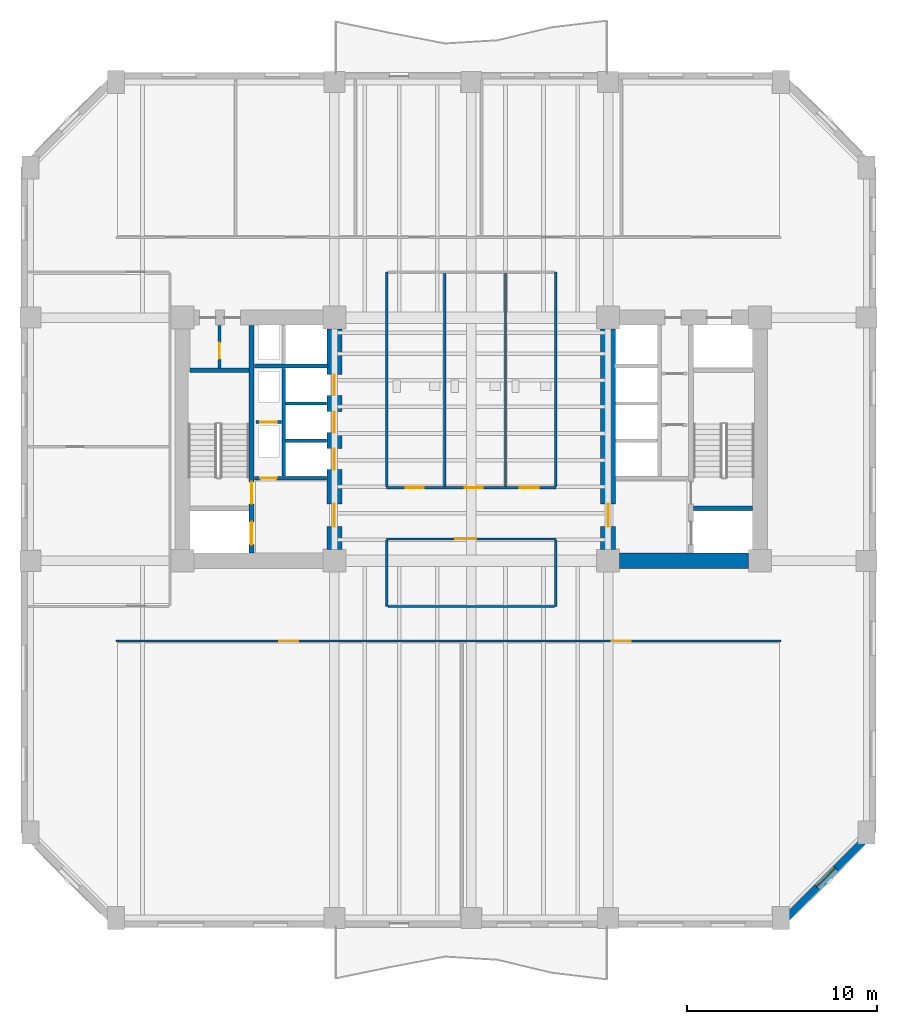
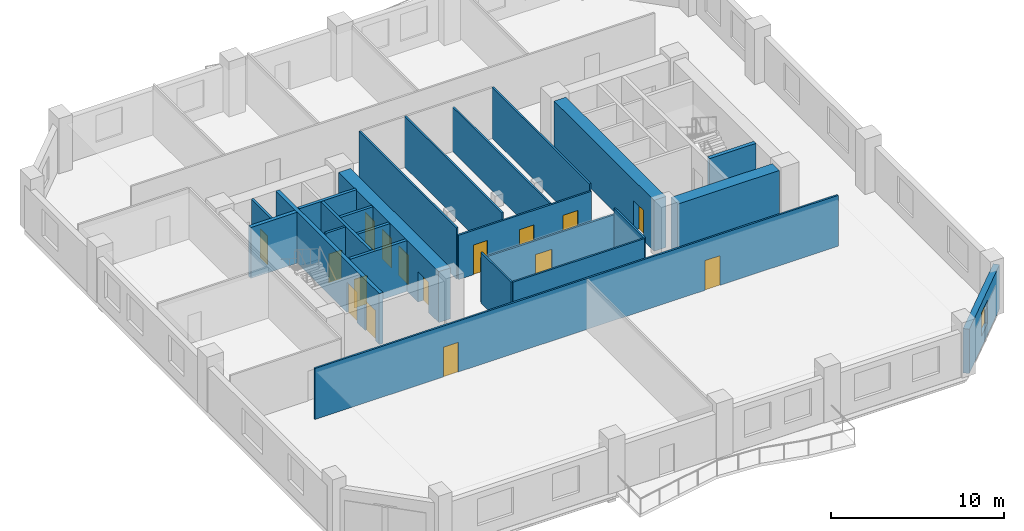
# One storey, part 3 of 10: 24 walls, 16 doors, 1 window, 17 openings.
"""IFC4 building model written with IfcOpenShell, lengths in metres."""

from ifc_helpers import new_model, si_unit, direction, frame, frame_2d, origin, place, context, subcontext, project, spatial, rectangle, extrude, material, layer, layer_set, type_object, element, fill, save


model = new_model("IFC4")

# Units and contexts
model_context = context("Model", 3, precision=1e-05, world=origin(), true_north=direction((0.0, 1.0)))
body_context = subcontext(model_context, "Body", "Model", "MODEL_VIEW")
ifc_project = project(units=[si_unit("LENGTHUNIT", "METRE"), si_unit("AREAUNIT", "SQUARE_METRE"), si_unit("VOLUMEUNIT", "CUBIC_METRE"), si_unit("PLANEANGLEUNIT", "RADIAN"), si_unit("MASSUNIT", "GRAM", prefix="KILO")], contexts=[model_context])

# Site, building, storey
site_placement = place(None, origin())
site = spatial("IfcSite", under=ifc_project, at=site_placement, CompositionType="ELEMENT")
building_placement = place(site_placement, origin())
building = spatial("IfcBuilding", under=site, at=building_placement, Name="Kranthara Brick Stack", CompositionType="ELEMENT")
storey_placement = place(building_placement, frame((0.0, 0.0, 32.10009765625)))
storey = spatial("IfcBuildingStorey", under=building, at=storey_placement, Name="L07", CompositionType="ELEMENT", Elevation=32.10009765625)

# Wall, opening, window
ifc_material_1 = material(Name="Kiln-fired clay brick masonry M15", Category="masonry")
ifc_layer_1 = layer(ifc_material_1, 0.3798828125)
ifc_layer_set_1 = layer_set([ifc_layer_1], Name="Kiln-fired clay brick masonry M15")
wall_type_1 = type_object("IfcWallType", Name="WL-BRK-PIER-380", PredefinedType="STANDARD", material=ifc_layer_set_1)
wall_1_placement = place(storey_placement, frame((49.090087890625, 6.5, 0.0), z_axis=(0.0, 0.0, 1.0), x_axis=(-0.707106781187, -0.707106781187, 0.0)))
wall_1 = element("IfcWall", 1, at=wall_1_placement, inside=storey, type_object=wall_type_1, Name="L07 Exterior Brick Facade Wall SE 1", PredefinedType="STANDARD", context=body_context, shape_type="SweptSolid", body=[
    extrude(rectangle(XDim=6.774169921875, YDim=0.3798828125, at=frame_2d((3.38720703125, 0.0))), origin(), (0.0, 0.0, 1.0), 3.135009765625),
])
opening_1_placement = place(wall_1_placement, frame((2.68701171875, 0.0, 0.800048828125)))
opening_1 = element("IfcOpeningElement", 2, at=opening_1_placement, cuts=wall_1, Name="Opening WN10", PredefinedType="OPENING", context=body_context, shape_type="SweptSolid", body=[
    extrude(rectangle(XDim=1.39990234375, YDim=1.64990234375, at=frame_2d((0.699951171875, 0.824951171875))), frame((0.0, 0.199951171875, 0.0), z_axis=(0.0, -1.0, 0.0), x_axis=(1.0, 0.0, 0.0)), (0.0, 0.0, 1.0), 0.39990234375),
])
ifc_material_2 = material(Name="Double-glazed low-E solar control glass", Category="glass")
window_type = type_object("IfcWindowType", Name="WN-CHM-1400x1750", PartitioningType="SINGLE_PANEL", PredefinedType="WINDOW", material=ifc_material_2)
window_placement = place(opening_1_placement, origin())
window = element("IfcWindow", 3, at=window_placement, inside=storey, type_object=window_type, Name="L07 SE Chamfer Corner Window", OverallHeight=1.64990234375, OverallWidth=1.39990234375, PartitioningType="SINGLE_PANEL", PredefinedType="WINDOW", context=body_context, shape_type="SweptSolid", body=[
    extrude(rectangle(XDim=1.39990234375, YDim=1.64990234375, at=frame_2d((0.699951171875, 0.824951171875))), frame((0.0, -0.010009765625, 0.0), z_axis=(0.0, -1.0, 0.0), x_axis=(1.0, 0.0, 0.0)), (0.0, 0.0, 1.0), 0.06005859375),
])
fill(opening_1, window)

# Wall, openings, doors
ifc_material_3 = material(Name="Concrete C50/60", Category="concrete")
ifc_layer_2 = layer(ifc_material_3, 0.25)
ifc_layer_set_2 = layer_set([ifc_layer_2], Name="Concrete C50/60")
wall_type_2 = type_object("IfcWallType", Name="WL-CORE-250", PredefinedType="SHEAR", material=ifc_layer_set_2)
wall_2_placement = place(storey_placement, frame((16.43505859375, 21.2099609375, 0.0), z_axis=(0.0, 0.0, 1.0), x_axis=(0.0, 1.0, 0.0)))
wall_2 = element("IfcWall", 4, at=wall_2_placement, inside=storey, type_object=wall_type_2, Name="L07 West Core Stair Bearing Spine Wall", PredefinedType="SHEAR", context=body_context, shape_type="SweptSolid", body=[
    extrude(rectangle(XDim=11.97998046875, YDim=0.25, at=frame_2d((5.989990234375, 0.0))), origin(), (0.0, 0.0, 1.0), 3.599853515625),
])
opening_2_placement = place(wall_2_placement, frame((0.43994140625, 0.0, 0.0)))
opening_2 = element("IfcOpeningElement", 5, at=opening_2_placement, cuts=wall_2, Name="Opening LD01", PredefinedType="OPENING", context=body_context, shape_type="SweptSolid", body=[
    extrude(rectangle(XDim=1.199951171875, YDim=2.14990234375, at=frame_2d((0.60009765625, 1.074951171875))), frame((0.0, 0.135009765625, 0.0), z_axis=(0.0, -1.0, 0.0), x_axis=(1.0, 0.0, 0.0)), (0.0, 0.0, 1.0), 0.27001953125),
])
opening_3_placement = place(wall_2_placement, frame((2.590087890625, 0.0, 0.0)))
opening_3 = element("IfcOpeningElement", 6, at=opening_3_placement, cuts=wall_2, Name="Opening D05", PredefinedType="OPENING", context=body_context, shape_type="SweptSolid", body=[
    extrude(rectangle(XDim=1.14990234375, YDim=2.14990234375, at=frame_2d((0.574951171875, 1.074951171875))), frame((0.0, 0.135009765625, 0.0), z_axis=(0.0, -1.0, 0.0), x_axis=(1.0, 0.0, 0.0)), (0.0, 0.0, 1.0), 0.27001953125),
])
ifc_material_4 = material(Name="Stainless steel sliding landing door", Category="steel")
door_type_1 = type_object("IfcDoorType", Name="DR-LD-FF1200", OperationType="DOUBLE_DOOR_SLIDING", PredefinedType="DOOR", material=ifc_material_4)
door_1_placement = place(opening_2_placement, origin())
door_1 = element("IfcDoor", 7, at=door_1_placement, inside=storey, type_object=door_type_1, Name="L07 Firefighting Lift FF-01 Landing Door", OperationType="DOUBLE_DOOR_SLIDING", OverallHeight=2.14990234375, OverallWidth=1.199951171875, PredefinedType="DOOR", context=body_context, shape_type="SweptSolid", body=[
    extrude(rectangle(XDim=1.199951171875, YDim=2.14990234375, at=frame_2d((0.60009765625, 1.074951171875))), frame((0.0, 0.02490234375, 0.0), z_axis=(0.0, -1.0, 0.0), x_axis=(1.0, 0.0, 0.0)), (0.0, 0.0, 1.0), 0.050048828125),
])
fill(opening_2, door_1)
ifc_material_5 = material(Name="Solid-core hardwood timber leaf in steel frame", Category="steel")
door_type_2 = type_object("IfcDoorType", Name="DR-ST-1150", OperationType="NOTDEFINED", PredefinedType="DOOR", material=ifc_material_5)
door_2_placement = place(opening_3_placement, origin())
door_2 = element("IfcDoor", 8, at=door_2_placement, inside=storey, type_object=door_type_2, Name="L07 Exit Stair ST01 Door", OperationType="SINGLE_SWING_RIGHT", OverallHeight=2.14990234375, OverallWidth=1.14990234375, PredefinedType="DOOR", context=body_context, shape_type="SweptSolid", body=[
    extrude(rectangle(XDim=1.14990234375, YDim=2.14990234375, at=frame_2d((0.574951171875, 1.074951171875))), frame((0.0, 0.02490234375, 0.0), z_axis=(0.0, -1.0, 0.0), x_axis=(1.0, 0.0, 0.0)), (0.0, 0.0, 1.0), 0.050048828125),
])
fill(opening_3, door_2)

# Walls
for number, where, z_axis, x_axis, name in (
    (9, (13.2099609375, 30.830078125, 0.0), (0.0, 0.0, 1.0), (1.0, 0.0, 0.0), "L07 West Stairwell Bearing Wall WST"),
    (10, (39.68994140625, 23.570068359375, 0.0), (0.0, 0.0, 1.0), (1.0, 0.0, 0.0), "L07 East Stairwell Bearing Wall EFF"),
):
    element("IfcWall", number, at=place(storey_placement, frame(where, z_axis=z_axis, x_axis=x_axis)), inside=storey, type_object=wall_type_2, Name=name, PredefinedType="SHEAR", context=body_context, shape_type="SweptSolid", body=[
        extrude(rectangle(XDim=3.10009765625, YDim=0.25, at=frame_2d((1.550048828125, 0.0))), origin(), (0.0, 0.0, 1.0), 3.599853515625),
    ])

# Wall, openings, doors
ifc_material_6 = material(Name="Concrete C70/85", Category="concrete")
ifc_layer_3 = layer(ifc_material_6, 0.800048828125)
ifc_layer_set_3 = layer_set([ifc_layer_3], Name="Concrete C70/85")
wall_type_3 = type_object("IfcWallType", Name="WL-CORE-800", PredefinedType="SHEAR", material=ifc_layer_set_3)
wall_3_placement = place(storey_placement, frame((20.800048828125, 21.405029296875, 0.0), z_axis=(0.0, 0.0, 1.0), x_axis=(0.0, 1.0, 0.0)))
wall_3 = element("IfcWall", 11, at=wall_3_placement, inside=storey, type_object=wall_type_3, Name="L07 West Core Shear Wall East", PredefinedType="SHEAR", context=body_context, shape_type="SweptSolid", body=[
    extrude(rectangle(XDim=11.590087890625, YDim=0.800048828125, at=frame_2d((5.794921875, 0.0))), origin(), (0.0, 0.0, 1.0), 3.599853515625),
])
opening_4_placement = place(wall_3_placement, frame((1.195068359375, 0.0, 0.0)))
opening_4 = element("IfcOpeningElement", 12, at=opening_4_placement, cuts=wall_3, Name="Opening D06", PredefinedType="OPENING", context=body_context, shape_type="SweptSolid", body=[
    extrude(rectangle(XDim=1.199951171875, YDim=2.14990234375, at=frame_2d((0.60009765625, 1.074951171875))), frame((0.0, 0.409912109375, 0.0), z_axis=(0.0, -1.0, 0.0), x_axis=(1.0, 0.0, 0.0)), (0.0, 0.0, 1.0), 0.820068359375),
])
opening_5_placement = place(wall_3_placement, frame((4.195068359375, 0.0, 0.0)))
opening_5 = element("IfcOpeningElement", 13, at=opening_5_placement, cuts=wall_3, Name="Opening LD02", PredefinedType="OPENING", context=body_context, shape_type="SweptSolid", body=[
    extrude(rectangle(XDim=1.10009765625, YDim=2.10009765625, at=frame_2d((0.550048828125, 1.050048828125))), frame((0.0, 0.409912109375, 0.0), z_axis=(0.0, -1.0, 0.0), x_axis=(1.0, 0.0, 0.0)), (0.0, 0.0, 1.0), 0.820068359375),
])
opening_6_placement = place(wall_3_placement, frame((6.14501953125, 0.0, 0.0)))
opening_6 = element("IfcOpeningElement", 14, at=opening_6_placement, cuts=wall_3, Name="Opening LD02", PredefinedType="OPENING", context=body_context, shape_type="SweptSolid", body=[
    extrude(rectangle(XDim=1.10009765625, YDim=2.10009765625, at=frame_2d((0.550048828125, 1.050048828125))), frame((0.0, 0.409912109375, 0.0), z_axis=(0.0, -1.0, 0.0), x_axis=(1.0, 0.0, 0.0)), (0.0, 0.0, 1.0), 0.820068359375),
])
opening_7_placement = place(wall_3_placement, frame((8.094970703125, 0.0, 0.0)))
opening_7 = element("IfcOpeningElement", 15, at=opening_7_placement, cuts=wall_3, Name="Opening LD02", PredefinedType="OPENING", context=body_context, shape_type="SweptSolid", body=[
    extrude(rectangle(XDim=1.10009765625, YDim=2.10009765625, at=frame_2d((0.550048828125, 1.050048828125))), frame((0.0, 0.409912109375, 0.0), z_axis=(0.0, -1.0, 0.0), x_axis=(1.0, 0.0, 0.0)), (0.0, 0.0, 1.0), 0.820068359375),
])
ifc_material_7 = material(Name="Solid-core hardwood timber leaf in steel frame", Category="steel")
door_type_3 = type_object("IfcDoorType", Name="DR-FFL-1200", OperationType="NOTDEFINED", PredefinedType="DOOR", material=ifc_material_7)
door_3_placement = place(opening_4_placement, origin())
door_3 = element("IfcDoor", 16, at=door_3_placement, inside=storey, type_object=door_type_3, Name="L07 West Firefighting Lobby Door", OperationType="SINGLE_SWING_LEFT", OverallHeight=2.14990234375, OverallWidth=1.199951171875, PredefinedType="DOOR", context=body_context, shape_type="SweptSolid", body=[
    extrude(rectangle(XDim=1.199951171875, YDim=2.14990234375, at=frame_2d((0.60009765625, 1.074951171875))), frame((0.0, 0.02490234375, 0.0), z_axis=(0.0, -1.0, 0.0), x_axis=(1.0, 0.0, 0.0)), (0.0, 0.0, 1.0), 0.050048828125),
])
fill(opening_4, door_3)
ifc_material_8 = material(Name="Stainless steel sliding landing door", Category="steel")
door_type_4 = type_object("IfcDoorType", Name="DR-LD-PL1100", OperationType="DOUBLE_DOOR_SLIDING", PredefinedType="DOOR", material=ifc_material_8)
door_4_placement = place(opening_5_placement, origin())
door_4 = element("IfcDoor", 17, at=door_4_placement, inside=storey, type_object=door_type_4, Name="L07 PL-01 Lift Landing Door", OperationType="DOUBLE_DOOR_SLIDING", OverallHeight=2.10009765625, OverallWidth=1.10009765625, PredefinedType="DOOR", context=body_context, shape_type="SweptSolid", body=[
    extrude(rectangle(XDim=1.10009765625, YDim=2.10009765625, at=frame_2d((0.550048828125, 1.050048828125))), frame((0.0, 0.02490234375, 0.0), z_axis=(0.0, -1.0, 0.0), x_axis=(1.0, 0.0, 0.0)), (0.0, 0.0, 1.0), 0.050048828125),
])
fill(opening_5, door_4)
door_5_placement = place(opening_6_placement, origin())
door_5 = element("IfcDoor", 18, at=door_5_placement, inside=storey, type_object=door_type_4, Name="L07 PL-02 Lift Landing Door", OperationType="DOUBLE_DOOR_SLIDING", OverallHeight=2.10009765625, OverallWidth=1.10009765625, PredefinedType="DOOR", context=body_context, shape_type="SweptSolid", body=[
    extrude(rectangle(XDim=1.10009765625, YDim=2.10009765625, at=frame_2d((0.550048828125, 1.050048828125))), frame((0.0, 0.02490234375, 0.0), z_axis=(0.0, -1.0, 0.0), x_axis=(1.0, 0.0, 0.0)), (0.0, 0.0, 1.0), 0.050048828125),
])
fill(opening_6, door_5)
door_6_placement = place(opening_7_placement, origin())
door_6 = element("IfcDoor", 19, at=door_6_placement, inside=storey, type_object=door_type_4, Name="L07 PL-03 Lift Landing Door", OperationType="DOUBLE_DOOR_SLIDING", OverallHeight=2.10009765625, OverallWidth=1.10009765625, PredefinedType="DOOR", context=body_context, shape_type="SweptSolid", body=[
    extrude(rectangle(XDim=1.10009765625, YDim=2.10009765625, at=frame_2d((0.550048828125, 1.050048828125))), frame((0.0, 0.02490234375, 0.0), z_axis=(0.0, -1.0, 0.0), x_axis=(1.0, 0.0, 0.0)), (0.0, 0.0, 1.0), 0.050048828125),
])
fill(opening_7, door_6)

# Wall
wall_4_placement = place(storey_placement, frame((35.804931640625, 20.800048828125, 0.0), z_axis=(0.0, 0.0, 1.0), x_axis=(1.0, 0.0, 0.0)))
element("IfcWall", 20, at=wall_4_placement, inside=storey, type_object=wall_type_3, Name="L07 East Core Shear Wall South", PredefinedType="SHEAR", context=body_context, shape_type="SweptSolid", body=[
    extrude(rectangle(XDim=6.7900390625, YDim=0.800048828125, at=frame_2d((3.39501953125, 0.0))), origin(), (0.0, 0.0, 1.0), 3.599853515625),
])

# Wall, opening, door
wall_5_placement = place(storey_placement, frame((35.199951171875, 21.405029296875, 0.0), z_axis=(0.0, 0.0, 1.0), x_axis=(0.0, 1.0, 0.0)))
wall_5 = element("IfcWall", 21, at=wall_5_placement, inside=storey, type_object=wall_type_3, Name="L07 East Core Shear Wall West", PredefinedType="SHEAR", context=body_context, shape_type="SweptSolid", body=[
    extrude(rectangle(XDim=11.590087890625, YDim=0.800048828125, at=frame_2d((5.794921875, 0.0))), origin(), (0.0, 0.0, 1.0), 3.599853515625),
])
opening_8_placement = place(wall_5_placement, frame((1.195068359375, 0.0, 0.0)))
opening_8 = element("IfcOpeningElement", 22, at=opening_8_placement, cuts=wall_5, Name="Opening D06", PredefinedType="OPENING", context=body_context, shape_type="SweptSolid", body=[
    extrude(rectangle(XDim=1.199951171875, YDim=2.14990234375, at=frame_2d((0.60009765625, 1.074951171875))), frame((0.0, 0.409912109375, 0.0), z_axis=(0.0, -1.0, 0.0), x_axis=(1.0, 0.0, 0.0)), (0.0, 0.0, 1.0), 0.820068359375),
])
door_7_placement = place(opening_8_placement, origin())
door_7 = element("IfcDoor", 23, at=door_7_placement, inside=storey, type_object=door_type_3, Name="L07 East Firefighting Lobby Door", OperationType="SINGLE_SWING_RIGHT", OverallHeight=2.14990234375, OverallWidth=1.199951171875, PredefinedType="DOOR", context=body_context, shape_type="SweptSolid", body=[
    extrude(rectangle(XDim=1.199951171875, YDim=2.14990234375, at=frame_2d((0.60009765625, 1.074951171875))), frame((0.0, 0.02490234375, 0.0), z_axis=(0.0, -1.0, 0.0), x_axis=(1.0, 0.0, 0.0)), (0.0, 0.0, 1.0), 0.050048828125),
])
fill(opening_8, door_7)

# Wall, openings, doors
ifc_material_9 = material(Name="Acoustic gypsum plasterboard partition", Category="other")
ifc_layer_4 = layer(ifc_material_9, 0.1201171875)
ifc_layer_set_4 = layer_set([ifc_layer_4], Name="Acoustic gypsum plasterboard partition")
wall_type_4 = type_object("IfcWallType", Name="WL-PART-120", PredefinedType="PARTITIONING", material=ifc_layer_set_4)
wall_6_placement = place(storey_placement, frame((23.550048828125, 24.64990234375, 0.0), z_axis=(0.0, 0.0, 1.0), x_axis=(1.0, 0.0, 0.0)))
wall_6 = element("IfcWall", 24, at=wall_6_placement, inside=storey, type_object=wall_type_4, Name="L07 Interior Partition 005", PredefinedType="PARTITIONING", context=body_context, shape_type="SweptSolid", body=[
    extrude(rectangle(XDim=8.89990234375, YDim=0.1201171875, at=frame_2d((4.449951171875, 0.0))), origin(), (0.0, 0.0, 1.0), 3.135009765625),
])
opening_9_placement = place(wall_6_placement, frame((1.0, 0.0, 0.0)))
opening_9 = element("IfcOpeningElement", 25, at=opening_9_placement, cuts=wall_6, Name="Opening D14", PredefinedType="OPENING", context=body_context, shape_type="SweptSolid", body=[
    extrude(rectangle(XDim=0.949951171875, YDim=2.10009765625, at=frame_2d((0.47509765625, 1.050048828125))), frame((0.0, 0.070068359375, 0.0), z_axis=(0.0, -1.0, 0.0), x_axis=(1.0, 0.0, 0.0)), (0.0, 0.0, 1.0), 0.14013671875),
])
opening_10_placement = place(wall_6_placement, frame((4.10009765625, 0.0, 0.0)))
opening_10 = element("IfcOpeningElement", 26, at=opening_10_placement, cuts=wall_6, Name="Opening D14", PredefinedType="OPENING", context=body_context, shape_type="SweptSolid", body=[
    extrude(rectangle(XDim=0.949951171875, YDim=2.10009765625, at=frame_2d((0.47509765625, 1.050048828125))), frame((0.0, 0.070068359375, 0.0), z_axis=(0.0, -1.0, 0.0), x_axis=(1.0, 0.0, 0.0)), (0.0, 0.0, 1.0), 0.14013671875),
])
opening_11_placement = place(wall_6_placement, frame((7.0, 0.0, 0.0)))
opening_11 = element("IfcOpeningElement", 27, at=opening_11_placement, cuts=wall_6, Name="Opening D18", PredefinedType="OPENING", context=body_context, shape_type="SweptSolid", body=[
    extrude(rectangle(XDim=1.0, YDim=2.10009765625, at=frame_2d((0.5, 1.050048828125))), frame((0.0, 0.070068359375, 0.0), z_axis=(0.0, -1.0, 0.0), x_axis=(1.0, 0.0, 0.0)), (0.0, 0.0, 1.0), 0.14013671875),
])
ifc_material_10 = material(Name="Solid-core hardwood timber leaf in steel frame", Category="steel")
door_type_5 = type_object("IfcDoorType", Name="DR-ACC-1000", OperationType="NOTDEFINED", PredefinedType="DOOR", material=ifc_material_10)
door_8_placement = place(opening_11_placement, origin())
door_8 = element("IfcDoor", 28, at=door_8_placement, inside=storey, type_object=door_type_5, Name="L07 Accessible WC Door 07", OperationType="SINGLE_SWING_LEFT", OverallHeight=2.10009765625, OverallWidth=1.0, PredefinedType="DOOR", context=body_context, shape_type="SweptSolid", body=[
    extrude(rectangle(XDim=1.0, YDim=2.10009765625, at=frame_2d((0.5, 1.050048828125))), frame((0.0, 0.02490234375, 0.0), z_axis=(0.0, -1.0, 0.0), x_axis=(1.0, 0.0, 0.0)), (0.0, 0.0, 1.0), 0.050048828125),
])
fill(opening_11, door_8)
ifc_material_11 = material(Name="Solid-core hardwood timber leaf in steel frame", Category="steel")
door_type_6 = type_object("IfcDoorType", Name="DR-INT-950", OperationType="NOTDEFINED", PredefinedType="DOOR", material=ifc_material_11)
door_9_placement = place(opening_9_placement, origin())
door_9 = element("IfcDoor", 29, at=door_9_placement, inside=storey, type_object=door_type_6, Name="L07 Male WC Door 05", OperationType="SINGLE_SWING_LEFT", OverallHeight=2.10009765625, OverallWidth=0.949951171875, PredefinedType="DOOR", context=body_context, shape_type="SweptSolid", body=[
    extrude(rectangle(XDim=0.949951171875, YDim=2.10009765625, at=frame_2d((0.47509765625, 1.050048828125))), frame((0.0, 0.02490234375, 0.0), z_axis=(0.0, -1.0, 0.0), x_axis=(1.0, 0.0, 0.0)), (0.0, 0.0, 1.0), 0.050048828125),
])
fill(opening_9, door_9)
door_10_placement = place(opening_10_placement, origin())
door_10 = element("IfcDoor", 30, at=door_10_placement, inside=storey, type_object=door_type_6, Name="L07 Female WC Door 06", OperationType="SINGLE_SWING_RIGHT", OverallHeight=2.10009765625, OverallWidth=0.949951171875, PredefinedType="DOOR", context=body_context, shape_type="SweptSolid", body=[
    extrude(rectangle(XDim=0.949951171875, YDim=2.10009765625, at=frame_2d((0.47509765625, 1.050048828125))), frame((0.0, 0.02490234375, 0.0), z_axis=(0.0, -1.0, 0.0), x_axis=(1.0, 0.0, 0.0)), (0.0, 0.0, 1.0), 0.050048828125),
])
fill(opening_10, door_10)

# Walls
for number, where, z_axis, x_axis, name in (
    (31, (23.550048828125, 24.715087890625, 0.0), (0.0, 0.0, 1.0), (0.0, 1.0, 0.0), "L07 Interior Partition 006"),
    (32, (32.449951171875, 24.715087890625, 0.0), (0.0, 0.0, 1.0), (0.0, 1.0, 0.0), "L07 Interior Partition 007"),
    (33, (26.60009765625, 24.715087890625, 0.0), (0.0, 0.0, 1.0), (0.0, 1.0, 0.0), "L07 Interior Partition 008"),
):
    element("IfcWall", number, at=place(storey_placement, frame(where, z_axis=z_axis, x_axis=x_axis)), inside=storey, type_object=wall_type_4, Name=name, PredefinedType="PARTITIONING", context=body_context, shape_type="SweptSolid", body=[
        extrude(rectangle(XDim=11.284912109375, YDim=0.1201171875, at=frame_2d((5.642578125, 0.0))), origin(), (0.0, 0.0, 1.0), 3.599853515625),
    ])
wall_7_placement = place(storey_placement, frame((29.800048828125, 24.715087890625, 0.0), z_axis=(0.0, 0.0, 1.0), x_axis=(0.0, 1.0, 0.0)))
element("IfcWall", 34, at=wall_7_placement, inside=storey, type_object=wall_type_4, Name="L07 Interior Partition 009", PredefinedType="PARTITIONING", context=body_context, shape_type="SweptSolid", body=[
    extrude(rectangle(XDim=11.284912109375, YDim=0.1201171875, at=frame_2d((5.642578125, 0.0))), origin(), (0.0, 0.0, 1.0), 3.135009765625),
])

# Wall, opening, door
wall_8_placement = place(storey_placement, frame((23.550048828125, 21.949951171875, 0.0), z_axis=(0.0, 0.0, 1.0), x_axis=(1.0, 0.0, 0.0)))
wall_8 = element("IfcWall", 35, at=wall_8_placement, inside=storey, type_object=wall_type_4, Name="L07 Interior Partition 011", PredefinedType="PARTITIONING", context=body_context, shape_type="SweptSolid", body=[
    extrude(rectangle(XDim=8.89990234375, YDim=0.1201171875, at=frame_2d((4.449951171875, 0.0))), origin(), (0.0, 0.0, 1.0), 3.135009765625),
])
opening_12_placement = place(wall_8_placement, frame((3.60009765625, 0.0, 0.0)))
opening_12 = element("IfcOpeningElement", 36, at=opening_12_placement, cuts=wall_8, Name="Opening D11", PredefinedType="OPENING", context=body_context, shape_type="SweptSolid", body=[
    extrude(rectangle(XDim=1.10009765625, YDim=2.14990234375, at=frame_2d((0.550048828125, 1.074951171875))), frame((0.0, 0.070068359375, 0.0), z_axis=(0.0, -1.0, 0.0), x_axis=(1.0, 0.0, 0.0)), (0.0, 0.0, 1.0), 0.14013671875),
])
ifc_material_12 = material(Name="Solid-core hardwood timber leaf in steel frame", Category="steel")
door_type_7 = type_object("IfcDoorType", Name="DR-INT-1100", OperationType="NOTDEFINED", PredefinedType="DOOR", material=ifc_material_12)
door_11_placement = place(opening_12_placement, origin())
door_11 = element("IfcDoor", 37, at=door_11_placement, inside=storey, type_object=door_type_7, Name="L07 Internal Briefing Room 08", OperationType="SINGLE_SWING_RIGHT", OverallHeight=2.14990234375, OverallWidth=1.10009765625, PredefinedType="DOOR", context=body_context, shape_type="SweptSolid", body=[
    extrude(rectangle(XDim=1.10009765625, YDim=2.14990234375, at=frame_2d((0.550048828125, 1.074951171875))), frame((0.0, 0.02490234375, 0.0), z_axis=(0.0, -1.0, 0.0), x_axis=(1.0, 0.0, 0.0)), (0.0, 0.0, 1.0), 0.050048828125),
])
fill(opening_12, door_11)

# Walls
for number, where, z_axis, x_axis, name in (
    (38, (23.550048828125, 18.39990234375, 0.0), (0.0, 0.0, 1.0), (0.0, 1.0, 0.0), "L07 Interior Partition 012"),
    (39, (32.449951171875, 18.39990234375, 0.0), (0.0, 0.0, 1.0), (0.0, 1.0, 0.0), "L07 Interior Partition 013"),
):
    element("IfcWall", number, at=place(storey_placement, frame(where, z_axis=z_axis, x_axis=x_axis)), inside=storey, type_object=wall_type_4, Name=name, PredefinedType="PARTITIONING", context=body_context, shape_type="SweptSolid", body=[
        extrude(rectangle(XDim=3.485107421875, YDim=0.1201171875, at=frame_2d((1.74267578125, 0.0))), origin(), (0.0, 0.0, 1.0), 3.599853515625),
    ])
wall_9_placement = place(storey_placement, frame((23.614990234375, 18.39990234375, 0.0), z_axis=(0.0, 0.0, 1.0), x_axis=(1.0, 0.0, 0.0)))
element("IfcWall", 40, at=wall_9_placement, inside=storey, type_object=wall_type_4, Name="L07 Interior Partition 014", PredefinedType="PARTITIONING", context=body_context, shape_type="SweptSolid", body=[
    extrude(rectangle(XDim=8.77001953125, YDim=0.1201171875, at=frame_2d((4.385009765625, 0.0))), origin(), (0.0, 0.0, 1.0), 3.599853515625),
])

# Wall, openings, doors
wall_10_placement = place(storey_placement, frame((9.300048828125, 16.580078125, 0.0), z_axis=(0.0, 0.0, 1.0), x_axis=(1.0, 0.0, 0.0)))
wall_10 = element("IfcWall", 41, at=wall_10_placement, inside=storey, type_object=wall_type_4, Name="L07 Interior Partition 015", PredefinedType="PARTITIONING", context=body_context, shape_type="SweptSolid", body=[
    extrude(rectangle(XDim=35.0, YDim=0.1201171875, at=frame_2d((17.5, 0.0))), origin(), (0.0, 0.0, 1.0), 3.599853515625),
])
opening_13_placement = place(wall_10_placement, frame((8.60009765625, 0.0, 0.0)))
opening_13 = element("IfcOpeningElement", 42, at=opening_13_placement, cuts=wall_10, Name="Opening D13", PredefinedType="OPENING", context=body_context, shape_type="SweptSolid", body=[
    extrude(rectangle(XDim=1.0, YDim=2.10009765625, at=frame_2d((0.5, 1.050048828125))), frame((0.0, 0.070068359375, 0.0), z_axis=(0.0, -1.0, 0.0), x_axis=(1.0, 0.0, 0.0)), (0.0, 0.0, 1.0), 0.14013671875),
])
opening_14_placement = place(wall_10_placement, frame((26.10009765625, 0.0, 0.0)))
opening_14 = element("IfcOpeningElement", 43, at=opening_14_placement, cuts=wall_10, Name="Opening D13", PredefinedType="OPENING", context=body_context, shape_type="SweptSolid", body=[
    extrude(rectangle(XDim=1.0, YDim=2.10009765625, at=frame_2d((0.5, 1.050048828125))), frame((0.0, 0.070068359375, 0.0), z_axis=(0.0, -1.0, 0.0), x_axis=(1.0, 0.0, 0.0)), (0.0, 0.0, 1.0), 0.14013671875),
])
ifc_material_13 = material(Name="Solid-core hardwood timber leaf in steel frame", Category="steel")
door_type_8 = type_object("IfcDoorType", Name="DR-INT-1000", OperationType="NOTDEFINED", PredefinedType="DOOR", material=ifc_material_13)
door_12_placement = place(opening_13_placement, origin())
door_12 = element("IfcDoor", 44, at=door_12_placement, inside=storey, type_object=door_type_8, Name="L07 Open Plan Workspace 09", OperationType="SINGLE_SWING_LEFT", OverallHeight=2.10009765625, OverallWidth=1.0, PredefinedType="DOOR", context=body_context, shape_type="SweptSolid", body=[
    extrude(rectangle(XDim=1.0, YDim=2.10009765625, at=frame_2d((0.5, 1.050048828125))), frame((0.0, 0.02490234375, 0.0), z_axis=(0.0, -1.0, 0.0), x_axis=(1.0, 0.0, 0.0)), (0.0, 0.0, 1.0), 0.050048828125),
])
fill(opening_13, door_12)
door_13_placement = place(opening_14_placement, origin())
door_13 = element("IfcDoor", 45, at=door_13_placement, inside=storey, type_object=door_type_8, Name="L07 Collaboration Lounge 10", OperationType="SINGLE_SWING_RIGHT", OverallHeight=2.10009765625, OverallWidth=1.0, PredefinedType="DOOR", context=body_context, shape_type="SweptSolid", body=[
    extrude(rectangle(XDim=1.0, YDim=2.10009765625, at=frame_2d((0.5, 1.050048828125))), frame((0.0, 0.02490234375, 0.0), z_axis=(0.0, -1.0, 0.0), x_axis=(1.0, 0.0, 0.0)), (0.0, 0.0, 1.0), 0.050048828125),
])
fill(opening_14, door_13)

# Wall, opening, door
ifc_material_14 = material(Name="Fire-rated gypsum board partition", Category="other")
ifc_layer_5 = layer(ifc_material_14, 0.14990234375)
ifc_layer_set_5 = layer_set([ifc_layer_5], Name="Fire-rated gypsum board partition")
wall_type_5 = type_object("IfcWallType", Name="WL-PART-150", PredefinedType="PARTITIONING", material=ifc_layer_set_5)
wall_11_placement = place(storey_placement, frame((14.75, 30.9599609375, 0.0), z_axis=(0.0, 0.0, 1.0), x_axis=(0.0, 1.0, 0.0)))
wall_11 = element("IfcWall", 46, at=wall_11_placement, inside=storey, type_object=wall_type_5, Name="L07 Interior Partition 001", PredefinedType="PARTITIONING", context=body_context, shape_type="SweptSolid", body=[
    extrude(rectangle(XDim=2.235107421875, YDim=0.14990234375, at=frame_2d((1.11767578125, 0.0))), origin(), (0.0, 0.0, 1.0), 3.599853515625),
])
opening_15_placement = place(wall_11_placement, frame((0.469970703125, 0.0, 0.0)))
opening_15 = element("IfcOpeningElement", 47, at=opening_15_placement, cuts=wall_11, Name="Opening D10", PredefinedType="OPENING", context=body_context, shape_type="SweptSolid", body=[
    extrude(rectangle(XDim=0.85009765625, YDim=2.02001953125, at=frame_2d((0.425048828125, 1.010009765625))), frame((0.0, 0.0849609375, 0.0), z_axis=(0.0, -1.0, 0.0), x_axis=(1.0, 0.0, 0.0)), (0.0, 0.0, 1.0), 0.169921875),
])
ifc_material_15 = material(Name="Solid-core hardwood timber leaf in steel frame", Category="steel")
door_type_9 = type_object("IfcDoorType", Name="DR-RSR-850", OperationType="NOTDEFINED", PredefinedType="DOOR", material=ifc_material_15)
door_14_placement = place(opening_15_placement, origin())
door_14 = element("IfcDoor", 48, at=door_14_placement, inside=storey, type_object=door_type_9, Name="L07 Service Interconnect 01", OperationType="SINGLE_SWING_LEFT", OverallHeight=2.02001953125, OverallWidth=0.85009765625, PredefinedType="DOOR", context=body_context, shape_type="SweptSolid", body=[
    extrude(rectangle(XDim=0.85009765625, YDim=2.02001953125, at=frame_2d((0.425048828125, 1.010009765625))), frame((0.0, 0.02490234375, 0.0), z_axis=(0.0, -1.0, 0.0), x_axis=(1.0, 0.0, 0.0)), (0.0, 0.0, 1.0), 0.050048828125),
])
fill(opening_15, door_14)

wall_12_placement = place(storey_placement, frame((16.679931640625, 28.10009765625, 0.0), z_axis=(0.0, 0.0, 1.0), x_axis=(1.0, 0.0, 0.0)))
wall_12 = element("IfcWall", 49, at=wall_12_placement, inside=storey, type_object=wall_type_5, Name="L07 Interior Partition 004", PredefinedType="PARTITIONING", context=body_context, shape_type="SweptSolid", body=[
    extrude(rectangle(XDim=1.320068359375, YDim=0.14990234375, at=frame_2d((0.66015625, 0.0))), origin(), (0.0, 0.0, 1.0), 3.599853515625),
])
opening_16_placement = place(wall_12_placement, frame((0.219970703125, 0.0, 0.0)))
opening_16 = element("IfcOpeningElement", 50, at=opening_16_placement, cuts=wall_12, Name="Opening D10", PredefinedType="OPENING", context=body_context, shape_type="SweptSolid", body=[
    extrude(rectangle(XDim=0.85009765625, YDim=2.02001953125, at=frame_2d((0.425048828125, 1.010009765625))), frame((0.0, 0.0849609375, 0.0), z_axis=(0.0, -1.0, 0.0), x_axis=(1.0, 0.0, 0.0)), (0.0, 0.0, 1.0), 0.169921875),
])
door_15_placement = place(opening_16_placement, origin())
door_15 = element("IfcDoor", 51, at=door_15_placement, inside=storey, type_object=door_type_9, Name="L07 Riser Split Door 04", OperationType="SINGLE_SWING_RIGHT", OverallHeight=2.02001953125, OverallWidth=0.85009765625, PredefinedType="DOOR", context=body_context, shape_type="SweptSolid", body=[
    extrude(rectangle(XDim=0.85009765625, YDim=2.02001953125, at=frame_2d((0.425048828125, 1.010009765625))), frame((0.0, 0.02490234375, 0.0), z_axis=(0.0, -1.0, 0.0), x_axis=(1.0, 0.0, 0.0)), (0.0, 0.0, 1.0), 0.050048828125),
])
fill(opening_16, door_15)

# Walls
ifc_material_16 = material(Name="Gypsum plasterboard on acoustic twin stud", Category="other")
ifc_layer_6 = layer(ifc_material_16, 0.179931640625)
ifc_layer_set_6 = layer_set([ifc_layer_6], Name="Gypsum plasterboard on acoustic twin stud")
wall_type_6 = type_object("IfcWallType", Name="WL-PART-180", PredefinedType="PARTITIONING", material=ifc_layer_set_6)
wall_13_placement = place(storey_placement, frame((18.1201171875, 25.27001953125, 0.0), z_axis=(0.0, 0.0, 1.0), x_axis=(0.0, 1.0, 0.0)))
element("IfcWall", 52, at=wall_13_placement, inside=storey, type_object=wall_type_6, Name="L07 West Hoistway Wall WBK", PredefinedType="PARTITIONING", context=body_context, shape_type="SweptSolid", body=[
    extrude(rectangle(XDim=5.659912109375, YDim=0.179931640625, at=frame_2d((2.830078125, 0.0))), origin(), (0.0, 0.0, 1.0), 3.599853515625),
])
for number, where, z_axis, x_axis, name in (
    (53, (18.219970703125, 27.1201171875, 0.0), (0.0, 0.0, 1.0), (1.0, 0.0, 0.0), "L07 West Hoistway Wall WH1"),
    (54, (18.219970703125, 29.080078125, 0.0), (0.0, 0.0, 1.0), (1.0, 0.0, 0.0), "L07 West Hoistway Wall WH2"),
):
    element("IfcWall", number, at=place(storey_placement, frame(where, z_axis=z_axis, x_axis=x_axis)), inside=storey, type_object=wall_type_6, Name=name, PredefinedType="PARTITIONING", context=body_context, shape_type="SweptSolid", body=[
        extrude(rectangle(XDim=2.169921875, YDim=0.179931640625, at=frame_2d((1.0849609375, 0.0))), origin(), (0.0, 0.0, 1.0), 3.599853515625),
    ])

# Wall, opening, door
ifc_material_17 = material(Name="Concrete C40/50", Category="concrete")
ifc_layer_7 = layer(ifc_material_17, 0.199951171875)
ifc_layer_set_7 = layer_set([ifc_layer_7], Name="Concrete C40/50")
wall_type_7 = type_object("IfcWallType", Name="WL-PART-200", PredefinedType="SOLIDWALL", material=ifc_layer_set_7)
wall_14_placement = place(storey_placement, frame((16.60009765625, 25.14990234375, 0.0), z_axis=(0.0, 0.0, 1.0), x_axis=(1.0, 0.0, 0.0)))
wall_14 = element("IfcWall", 55, at=wall_14_placement, inside=storey, type_object=wall_type_7, Name="L07 West Core Cross Wall WFL", PredefinedType="SOLIDWALL", context=body_context, shape_type="SweptSolid", body=[
    extrude(rectangle(XDim=3.789794921875, YDim=0.199951171875, at=frame_2d((1.89501953125, 0.0))), origin(), (0.0, 0.0, 1.0), 3.599853515625),
])
opening_17_placement = place(wall_14_placement, frame((0.300048828125, 0.0, 0.0)))
opening_17 = element("IfcOpeningElement", 56, at=opening_17_placement, cuts=wall_14, Name="Opening D10", PredefinedType="OPENING", context=body_context, shape_type="SweptSolid", body=[
    extrude(rectangle(XDim=0.85009765625, YDim=2.02001953125, at=frame_2d((0.425048828125, 1.010009765625))), frame((0.0, 0.10986328125, 0.0), z_axis=(0.0, -1.0, 0.0), x_axis=(1.0, 0.0, 0.0)), (0.0, 0.0, 1.0), 0.219970703125),
])
door_16_placement = place(opening_17_placement, origin())
door_16 = element("IfcDoor", 57, at=door_16_placement, inside=storey, type_object=door_type_9, Name="L07 Mechanical Riser Access Door", OperationType="SINGLE_SWING_LEFT", OverallHeight=2.02001953125, OverallWidth=0.85009765625, PredefinedType="DOOR", context=body_context, shape_type="SweptSolid", body=[
    extrude(rectangle(XDim=0.85009765625, YDim=2.02001953125, at=frame_2d((0.425048828125, 1.010009765625))), frame((0.0, 0.02490234375, 0.0), z_axis=(0.0, -1.0, 0.0), x_axis=(1.0, 0.0, 0.0)), (0.0, 0.0, 1.0), 0.050048828125),
])
fill(opening_17, door_16)

# Wall
wall_15_placement = place(storey_placement, frame((16.60009765625, 31.050048828125, 0.0), z_axis=(0.0, 0.0, 1.0), x_axis=(1.0, 0.0, 0.0)))
element("IfcWall", 58, at=wall_15_placement, inside=storey, type_object=wall_type_7, Name="L07 West Core Cross Wall WH4", PredefinedType="SOLIDWALL", context=body_context, shape_type="SweptSolid", body=[
    extrude(rectangle(XDim=3.849853515625, YDim=0.199951171875, at=frame_2d((1.9248046875, 0.0))), origin(), (0.0, 0.0, 1.0), 3.599853515625),
])

save(model, "model.ifc")
